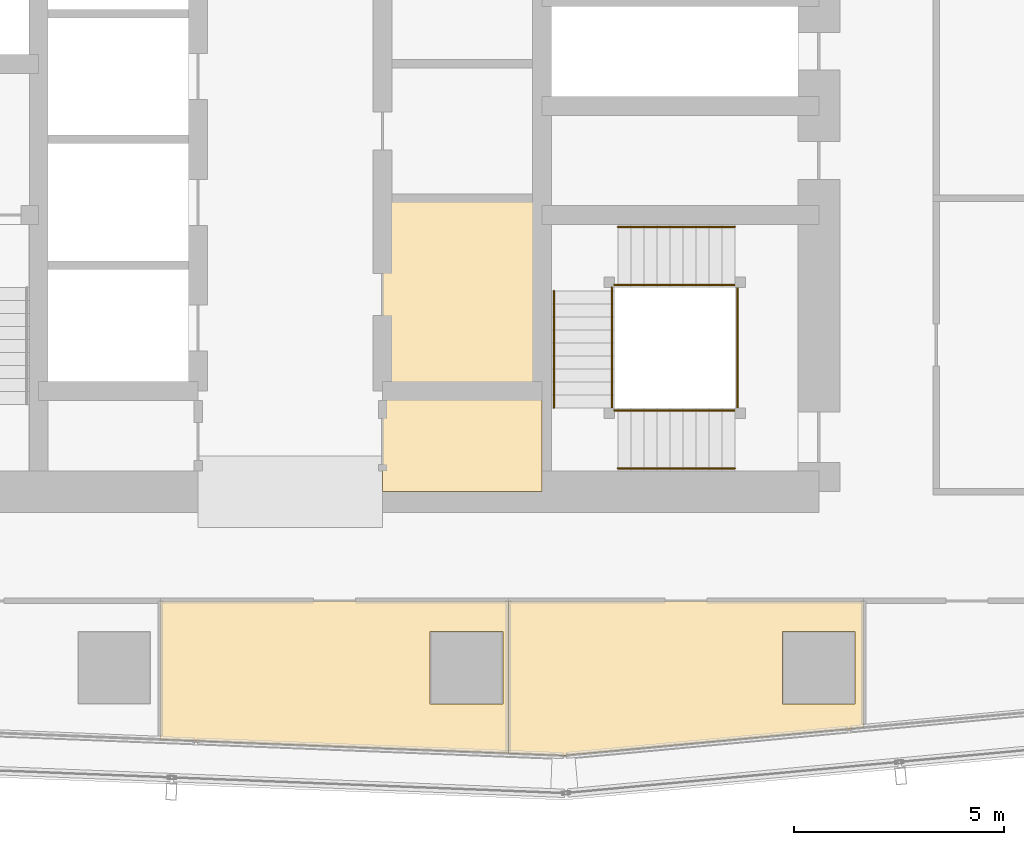
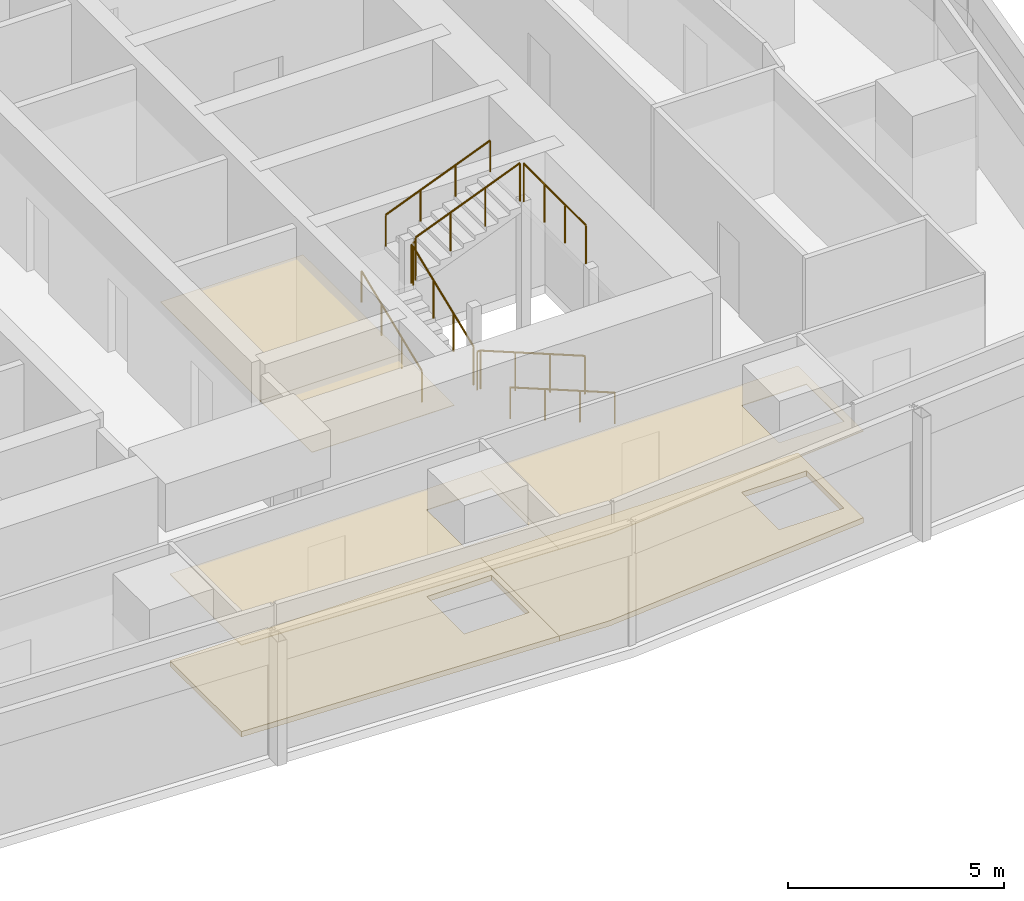
# One storey, part 36 of 39: 10 railings, 6 coverings.
"""IFC4 building model written with IfcOpenShell, lengths in metres."""

from ifc_helpers import new_model, si_unit, direction, frame, origin, origin_2d, place, context, subcontext, project, spatial, polyline, circle, outline, extrude, material, layer, layer_set, type_object, element, save


model = new_model("IFC4")

# Units and contexts
model_context = context("Model", 3, precision=1e-05, world=origin(), true_north=direction((0.0, 1.0)))
body_context = subcontext(model_context, "Body", "Model", "MODEL_VIEW")
ifc_project = project(units=[si_unit("LENGTHUNIT", "METRE"), si_unit("AREAUNIT", "SQUARE_METRE"), si_unit("VOLUMEUNIT", "CUBIC_METRE"), si_unit("PLANEANGLEUNIT", "RADIAN"), si_unit("MASSUNIT", "GRAM", prefix="KILO")], contexts=[model_context])

# Site, building, storey
site_placement = place(None, origin())
site = spatial("IfcSite", under=ifc_project, at=site_placement, CompositionType="ELEMENT")
building_placement = place(site_placement, origin())
building = spatial("IfcBuilding", under=site, at=building_placement, Name="Rekha Terrace Tower", CompositionType="ELEMENT")
storey_placement = place(building_placement, frame((0.0, 0.0, 183.949951171875)))
storey = spatial("IfcBuildingStorey", under=building, at=storey_placement, Name="L46", CompositionType="ELEMENT", Elevation=183.949951171875)

# Coverings
ifc_material_1 = material(Name="Mineral fibre tile in exposed grid", Category="finish")
ifc_layer_1 = layer(ifc_material_1, 0.02001953125)
ifc_layer_set_1 = layer_set([ifc_layer_1], Name="Mineral fibre tile in exposed grid")
covering_type_1 = type_object("IfcCoveringType", Name="CL1 600x1200 office grid ceiling", PredefinedType="CEILING", material=ifc_layer_set_1)
covering_1_placement = place(storey_placement, frame((0.0, 0.0, 2.580078125)))
element("IfcCovering", 1, at=covering_1_placement, inside=storey, type_object=covering_type_1, Name="Ceiling L46-02", PredefinedType="CEILING", context=body_context, shape_type="SweptSolid", body=[
    extrude(outline(polyline([(42.9970703125, 14.763916015625), (42.9970703125, 18.39990234375), (34.7060546875, 18.39990234375), (34.7060546875, 15.094970703125), (42.9970703125, 14.763916015625)]), holes=[polyline([(42.864990234375, 17.6650390625), (42.864990234375, 15.93505859375), (41.135009765625, 15.93505859375), (41.135009765625, 17.6650390625), (42.864990234375, 17.6650390625)])]), origin(), (0.0, 0.0, 1.0), 0.02001953125),
])
covering_2_placement = place(storey_placement, frame((0.0, 0.0, 2.580078125)))
element("IfcCovering", 2, at=covering_2_placement, inside=storey, type_object=covering_type_1, Name="Ceiling L46-03", PredefinedType="CEILING", context=body_context, shape_type="SweptSolid", body=[
    extrude(outline(polyline([(51.464111328125, 18.39990234375), (42.998046875, 18.39990234375), (42.998046875, 14.763916015625), (44.31201171875, 14.7119140625), (51.464111328125, 15.3779296875), (51.464111328125, 18.39990234375)]), holes=[polyline([(51.264892578125, 15.93505859375), (49.534912109375, 15.93505859375), (49.534912109375, 17.6650390625), (51.264892578125, 17.6650390625), (51.264892578125, 15.93505859375)])]), origin(), (0.0, 0.0, 1.0), 0.02001953125),
])
ifc_material_2 = material(Name="Fibre cement board", Category="finish")
ifc_layer_2 = layer(ifc_material_2, 0.014892578125)
ifc_layer_set_2 = layer_set([ifc_layer_2], Name="Fibre cement board")
covering_type_2 = type_object("IfcCoveringType", Name="CL2 moisture-resistant board ceiling", PredefinedType="CEILING", material=ifc_layer_set_2)
covering_3_placement = place(storey_placement, frame((0.0, 0.0, 2.5849609375)))
element("IfcCovering", 3, at=covering_3_placement, inside=storey, type_object=covering_type_2, Name="Ceiling L46-WCA", PredefinedType="CEILING", context=body_context, shape_type="SweptSolid", body=[
    extrude(outline(polyline([(43.800048828125, 23.39990234375), (40.0, 23.39990234375), (40.0, 21.0), (43.800048828125, 21.0), (43.800048828125, 23.39990234375)])), origin(), (0.0, 0.0, 1.0), 0.01513671875),
])
covering_4_placement = place(storey_placement, frame((0.0, 0.0, 2.5849609375)))
element("IfcCovering", 4, at=covering_4_placement, inside=storey, type_object=covering_type_2, Name="Ceiling L46-FSE1", PredefinedType="CEILING", context=body_context, shape_type="SweptSolid", body=[
    extrude(outline(polyline([(43.800048828125, 28.0), (40.0, 28.0), (40.0, 23.39990234375), (43.800048828125, 23.39990234375), (43.800048828125, 28.0)])), origin(), (0.0, 0.0, 1.0), 0.01513671875),
])

# Railings
ifc_material_3 = material(Name="Stainless steel balustrade", Category="steel")
railing_type_1 = type_object("IfcRailingType", Name="GR1 1100 stair guard", PredefinedType="GUARDRAIL", material=ifc_material_3)
railing_1_placement = place(storey_placement, frame((48.39990234375, 22.93994140625, 0.125)))
element("IfcRailing", 5, at=railing_1_placement, inside=storey, type_object=railing_type_1, Name="Guard ST3 L46 flight 1", PredefinedType="GUARDRAIL", context=body_context, shape_type="SweptSolid", body=[
    extrude(circle(Radius=0.02392578125, at=origin_2d()), frame((0.0, 0.0, 1.076171875), z_axis=(-0.927431937212, 0.0, 0.373991980981), x_axis=(0.0, -1.0, 0.0)), (0.0, 0.0, 1.0), 3.008056640625),
    extrude(circle(Radius=0.02099609375, at=origin_2d()), origin(), (0.0, 0.0, 1.0), 1.052001953125),
    extrude(circle(Radius=0.02099609375, at=origin_2d()), frame((-0.929931640625, 0.0, 0.375)), (0.0, 0.0, 1.0), 1.052001953125),
    extrude(circle(Radius=0.02099609375, at=origin_2d()), frame((-1.85986328125, 0.0, 0.75)), (0.0, 0.0, 1.0), 1.052001953125),
    extrude(circle(Radius=0.02099609375, at=origin_2d()), frame((-2.789794921875, 0.0, 1.125)), (0.0, 0.0, 1.0), 1.052001953125),
])
railing_2_placement = place(storey_placement, frame((45.465087890625, 23.0, 1.375)))
element("IfcRailing", 6, at=railing_2_placement, inside=storey, type_object=railing_type_1, Name="Guard ST3 L46 flight 2", PredefinedType="GUARDRAIL", context=body_context, shape_type="SweptSolid", body=[
    extrude(circle(Radius=0.02392578125, at=origin_2d()), frame((0.0, 0.0, 1.076171875), z_axis=(0.0, 0.927443287984, 0.373963831907), x_axis=(-1.0, 0.0, 0.0)), (0.0, 0.0, 1.0), 3.00830078125),
    extrude(circle(Radius=0.02099609375, at=origin_2d()), origin(), (0.0, 0.0, 1.0), 1.052001953125),
    extrude(circle(Radius=0.02099609375, at=origin_2d()), frame((0.0, 0.929931640625, 0.375)), (0.0, 0.0, 1.0), 1.052001953125),
    extrude(circle(Radius=0.02099609375, at=origin_2d()), frame((0.0, 1.860107421875, 0.75)), (0.0, 0.0, 1.0), 1.052001953125),
    extrude(circle(Radius=0.02099609375, at=origin_2d()), frame((0.0, 2.7900390625, 1.125)), (0.0, 0.0, 1.0), 1.052001953125),
])
railing_3_placement = place(storey_placement, frame((45.610107421875, 25.93505859375, 2.625)))
element("IfcRailing", 7, at=railing_3_placement, inside=storey, type_object=railing_type_1, Name="Guard ST3 L46 flight 3", PredefinedType="GUARDRAIL", context=body_context, shape_type="SweptSolid", body=[
    extrude(circle(Radius=0.02392578125, at=origin_2d()), frame((0.0, 0.0, 1.076171875), z_axis=(0.927431937212, 0.0, 0.373991980981), x_axis=(0.0, 1.0, 0.0)), (0.0, 0.0, 1.0), 3.008056640625),
    extrude(circle(Radius=0.02099609375, at=origin_2d()), origin(), (0.0, 0.0, 1.0), 1.052001953125),
    extrude(circle(Radius=0.02099609375, at=origin_2d()), frame((0.929931640625, 0.0, 0.375)), (0.0, 0.0, 1.0), 1.052001953125),
    extrude(circle(Radius=0.02099609375, at=origin_2d()), frame((1.85986328125, 0.0, 0.75)), (0.0, 0.0, 1.0), 1.052001953125),
    extrude(circle(Radius=0.02099609375, at=origin_2d()), frame((2.789794921875, 0.0, 1.125)), (0.0, 0.0, 1.0), 1.052001953125),
])
railing_4_placement = place(storey_placement, frame((45.610107421875, 22.93994140625, 1.25)))
element("IfcRailing", 8, at=railing_4_placement, inside=storey, type_object=railing_type_1, Name="Guard ST3 L46 landing 1", PredefinedType="GUARDRAIL", context=body_context, shape_type="SweptSolid", body=[
    extrude(circle(Radius=0.02392578125, at=origin_2d()), frame((0.0, 0.0, 1.076171875), z_axis=(-1.0, 0.0, 0.0), x_axis=(0.0, -1.0, 0.0)), (0.0, 0.0, 1.0), 0.085205078125),
    extrude(circle(Radius=0.02099609375, at=origin_2d()), origin(), (0.0, 0.0, 1.0), 1.052001953125),
    extrude(circle(Radius=0.02099609375, at=origin_2d()), frame((-0.085205078125, 0.0, 0.0)), (0.0, 0.0, 1.0), 1.052001953125),
])
railing_5_placement = place(storey_placement, frame((45.465087890625, 25.7900390625, 2.5)))
element("IfcRailing", 9, at=railing_5_placement, inside=storey, type_object=railing_type_1, Name="Guard ST3 L46 landing 2", PredefinedType="GUARDRAIL", context=body_context, shape_type="SweptSolid", body=[
    extrude(circle(Radius=0.02392578125, at=origin_2d()), frame((0.0, 0.0, 1.076171875), z_axis=(0.0, 1.0, 0.0), x_axis=(-1.0, 0.0, 0.0)), (0.0, 0.0, 1.0), 0.0849609375),
    extrude(circle(Radius=0.02099609375, at=origin_2d()), origin(), (0.0, 0.0, 1.0), 1.052001953125),
    extrude(circle(Radius=0.02099609375, at=origin_2d()), frame((0.0, 0.0849609375, 0.0)), (0.0, 0.0, 1.0), 1.052001953125),
])
railing_6_placement = place(storey_placement, frame((45.610107421875, 25.93505859375, 2.5)))
element("IfcRailing", 10, at=railing_6_placement, inside=storey, type_object=railing_type_1, Name="Guard ST3 L46 landing 3", PredefinedType="GUARDRAIL", context=body_context, shape_type="SweptSolid", body=[
    extrude(circle(Radius=0.02392578125, at=origin_2d()), frame((0.0, 0.0, 1.076171875), z_axis=(-1.0, 0.0, 0.0), x_axis=(0.0, -1.0, 0.0)), (0.0, 0.0, 1.0), 0.085205078125),
    extrude(circle(Radius=0.02099609375, at=origin_2d()), origin(), (0.0, 0.0, 1.0), 1.052001953125),
    extrude(circle(Radius=0.02099609375, at=origin_2d()), frame((-0.085205078125, 0.0, 0.0)), (0.0, 0.0, 1.0), 1.052001953125),
])
railing_7_placement = place(storey_placement, frame((48.4599609375, 23.0, 3.75)))
element("IfcRailing", 11, at=railing_7_placement, inside=storey, type_object=railing_type_1, Name="Guard ST3 L46 landing 4", PredefinedType="GUARDRAIL", context=body_context, shape_type="SweptSolid", body=[
    extrude(circle(Radius=0.02392578125, at=origin_2d()), frame((0.0, 0.0, 1.076171875), z_axis=(0.0, 1.0, 0.0), x_axis=(-1.0, 0.0, 0.0)), (0.0, 0.0, 1.0), 2.875),
    extrude(circle(Radius=0.02099609375, at=origin_2d()), origin(), (0.0, 0.0, 1.0), 1.052001953125),
    extrude(circle(Radius=0.02099609375, at=origin_2d()), frame((0.0, 0.958251953125, 0.0)), (0.0, 0.0, 1.0), 1.052001953125),
    extrude(circle(Radius=0.02099609375, at=origin_2d()), frame((0.0, 1.916748046875, 0.0)), (0.0, 0.0, 1.0), 1.052001953125),
    extrude(circle(Radius=0.02099609375, at=origin_2d()), frame((0.0, 2.875, 0.0)), (0.0, 0.0, 1.0), 1.052001953125),
])
ifc_material_4 = material(Name="Stainless steel tube", Category="steel")
railing_type_2 = type_object("IfcRailingType", Name="HR1 900 stair handrail", PredefinedType="HANDRAIL", material=ifc_material_4)
railing_8_placement = place(storey_placement, frame((48.39990234375, 21.56005859375, 0.125)))
element("IfcRailing", 12, at=railing_8_placement, inside=storey, type_object=railing_type_2, Name="Handrail ST3 L46 flight 1", PredefinedType="HANDRAIL", context=body_context, shape_type="SweptSolid", body=[
    extrude(circle(Radius=0.02392578125, at=origin_2d()), frame((0.0, 0.0, 0.8759765625), z_axis=(-0.927431937212, 0.0, 0.373991980981), x_axis=(0.0, -1.0, 0.0)), (0.0, 0.0, 1.0), 3.008056640625),
    extrude(circle(Radius=0.02099609375, at=origin_2d()), origin(), (0.0, 0.0, 1.0), 0.851806640625),
    extrude(circle(Radius=0.02099609375, at=origin_2d()), frame((-0.929931640625, 0.0, 0.375)), (0.0, 0.0, 1.0), 0.851806640625),
    extrude(circle(Radius=0.02099609375, at=origin_2d()), frame((-1.85986328125, 0.0, 0.75)), (0.0, 0.0, 1.0), 0.851806640625),
    extrude(circle(Radius=0.02099609375, at=origin_2d()), frame((-2.789794921875, 0.0, 1.125)), (0.0, 0.0, 1.0), 0.851806640625),
])
railing_9_placement = place(storey_placement, frame((44.0849609375, 23.0, 1.375)))
element("IfcRailing", 13, at=railing_9_placement, inside=storey, type_object=railing_type_2, Name="Handrail ST3 L46 flight 2", PredefinedType="HANDRAIL", context=body_context, shape_type="SweptSolid", body=[
    extrude(circle(Radius=0.02392578125, at=origin_2d()), frame((0.0, 0.0, 0.8759765625), z_axis=(0.0, 0.927443287984, 0.373963831907), x_axis=(-1.0, 0.0, 0.0)), (0.0, 0.0, 1.0), 3.00830078125),
    extrude(circle(Radius=0.02099609375, at=origin_2d()), origin(), (0.0, 0.0, 1.0), 0.851806640625),
    extrude(circle(Radius=0.02099609375, at=origin_2d()), frame((0.0, 0.929931640625, 0.375)), (0.0, 0.0, 1.0), 0.851806640625),
    extrude(circle(Radius=0.02099609375, at=origin_2d()), frame((0.0, 1.860107421875, 0.75)), (0.0, 0.0, 1.0), 0.851806640625),
    extrude(circle(Radius=0.02099609375, at=origin_2d()), frame((0.0, 2.7900390625, 1.125)), (0.0, 0.0, 1.0), 0.851806640625),
])
railing_10_placement = place(storey_placement, frame((45.610107421875, 27.31494140625, 2.625)))
element("IfcRailing", 14, at=railing_10_placement, inside=storey, type_object=railing_type_2, Name="Handrail ST3 L46 flight 3", PredefinedType="HANDRAIL", context=body_context, shape_type="SweptSolid", body=[
    extrude(circle(Radius=0.02392578125, at=origin_2d()), frame((0.0, 0.0, 0.8759765625), z_axis=(0.927431937212, 0.0, 0.373991980981), x_axis=(0.0, 1.0, 0.0)), (0.0, 0.0, 1.0), 3.008056640625),
    extrude(circle(Radius=0.02099609375, at=origin_2d()), origin(), (0.0, 0.0, 1.0), 0.851806640625),
    extrude(circle(Radius=0.02099609375, at=origin_2d()), frame((0.929931640625, 0.0, 0.375)), (0.0, 0.0, 1.0), 0.851806640625),
    extrude(circle(Radius=0.02099609375, at=origin_2d()), frame((1.85986328125, 0.0, 0.75)), (0.0, 0.0, 1.0), 0.851806640625),
    extrude(circle(Radius=0.02099609375, at=origin_2d()), frame((2.789794921875, 0.0, 1.125)), (0.0, 0.0, 1.0), 0.851806640625),
])

# Coverings
ifc_material_5 = material(Name="Calcium sulphate panels on steel pedestals", Category="steel")
ifc_layer_3 = layer(ifc_material_5, 0.14990234375)
ifc_layer_set_3 = layer_set([ifc_layer_3], Name="Calcium sulphate panels on steel pedestals")
covering_type_3 = type_object("IfcCoveringType", Name="RF1 150 raised access floor", PredefinedType="FLOORING", material=ifc_layer_set_3)
covering_5_placement = place(storey_placement, origin())
element("IfcCovering", 15, at=covering_5_placement, inside=storey, type_object=covering_type_3, Name="Raised floor L46-02", PredefinedType="FLOORING", context=body_context, shape_type="SweptSolid", body=[
    extrude(outline(polyline([(42.9970703125, 14.763916015625), (42.9970703125, 18.39990234375), (34.7060546875, 18.39990234375), (34.7060546875, 15.094970703125), (42.9970703125, 14.763916015625)]), holes=[polyline([(42.864990234375, 17.6650390625), (42.864990234375, 15.93505859375), (41.135009765625, 15.93505859375), (41.135009765625, 17.6650390625), (42.864990234375, 17.6650390625)])]), origin(), (0.0, 0.0, 1.0), 0.150146484375),
])
covering_6_placement = place(storey_placement, origin())
element("IfcCovering", 16, at=covering_6_placement, inside=storey, type_object=covering_type_3, Name="Raised floor L46-03", PredefinedType="FLOORING", context=body_context, shape_type="SweptSolid", body=[
    extrude(outline(polyline([(51.464111328125, 18.39990234375), (42.998046875, 18.39990234375), (42.998046875, 14.763916015625), (44.31201171875, 14.7119140625), (51.464111328125, 15.3779296875), (51.464111328125, 18.39990234375)]), holes=[polyline([(51.264892578125, 15.93505859375), (49.534912109375, 15.93505859375), (49.534912109375, 17.6650390625), (51.264892578125, 17.6650390625), (51.264892578125, 15.93505859375)])]), origin(), (0.0, 0.0, 1.0), 0.150146484375),
])

save(model, "model.ifc")
